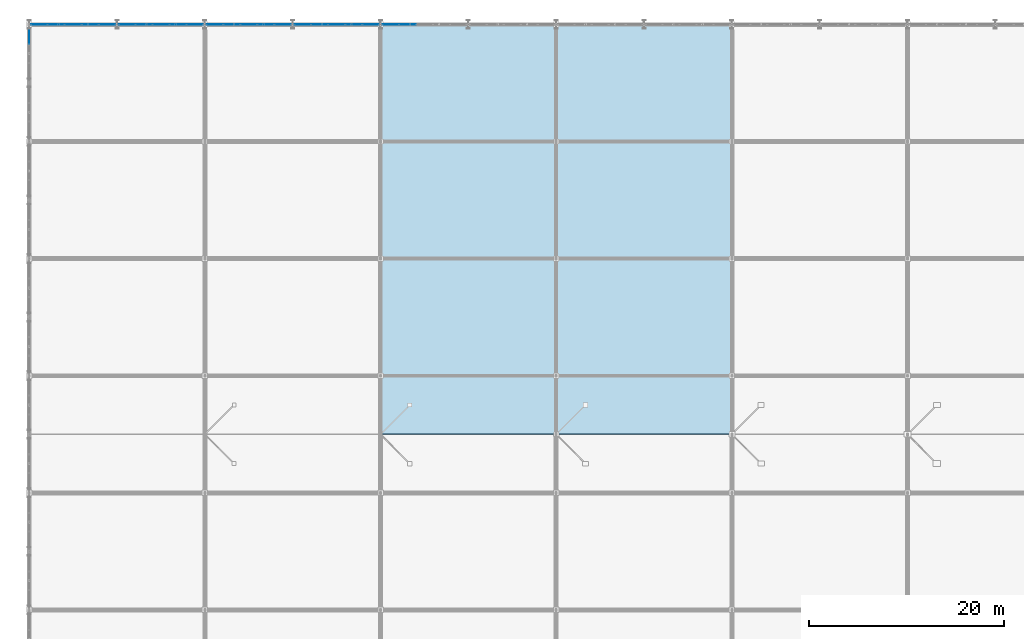
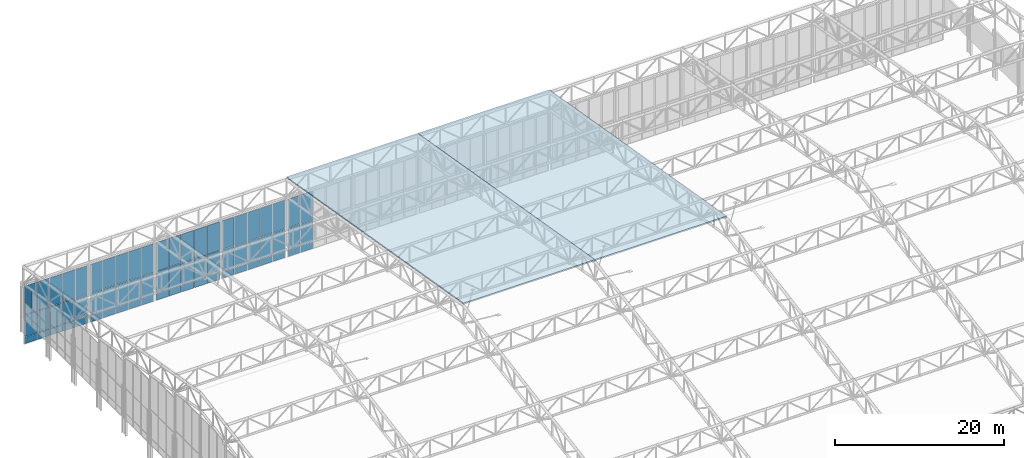
# One storey, part 187 of 239: 67 plates, 2 slabs, 7 elements without a shape of their own.
"""IFC4 building model written with IfcOpenShell, lengths in metres."""

from ifc_helpers import new_model, si_unit, direction, frame, origin, origin_2d, place, context, subcontext, project, spatial, polyline, rectangle, outline, extrude, material, layer, layer_set, type_object, element, aggregate, save


model = new_model("IFC4")

# Units and contexts
model_context = context("Model", 3, precision=1e-05, world=origin(), true_north=direction((0.0, 1.0)))
body_context = subcontext(model_context, "Body", "Model", "MODEL_VIEW")
ifc_project = project(units=[si_unit("LENGTHUNIT", "METRE"), si_unit("AREAUNIT", "SQUARE_METRE"), si_unit("VOLUMEUNIT", "CUBIC_METRE"), si_unit("PLANEANGLEUNIT", "RADIAN"), si_unit("MASSUNIT", "GRAM", prefix="KILO")], contexts=[model_context])

# Site, building, storey
site_placement = place(None, origin())
site = spatial("IfcSite", under=ifc_project, at=site_placement, CompositionType="ELEMENT")
building_placement = place(site_placement, origin())
building = spatial("IfcBuilding", under=site, at=building_placement, Name="Kaldris Quays Convention Centre", CompositionType="ELEMENT")
storey_placement = place(building_placement, frame((0.0, 0.0, 11.39990234375)))
storey = spatial("IfcBuildingStorey", under=building, at=storey_placement, Name="L02", CompositionType="ELEMENT", Elevation=11.39990234375)

# Curtain wall, plate
ifc_material_1 = material(Name="Anodized aluminium AW-6060 and triple glazing", Category="aluminium")
curtain_wall_type = type_object("IfcCurtainWallType", Name="UNITISED CURTAIN WALL CW03", PredefinedType="NOTDEFINED", material=ifc_material_1)
curtain_wall_1_placement = place(storey_placement, origin())
curtain_wall_1 = element("IfcCurtainWall", 1, at=curtain_wall_1_placement, inside=storey, type_object=curtain_wall_type, Name="L02 Unitised Curtain Wall CW03 226", PredefinedType="NOTDEFINED")
ifc_material_2 = material(Name="Triple low-E insulated glazing", Category="glass")
plate_type_1 = type_object("IfcPlateType", Name="CURTAIN GLAZING PANEL CWP2", PredefinedType="CURTAIN_PANEL", material=ifc_material_2)
plate_1_placement = place(storey_placement, frame((20.0, 138.8916015625, 4.81005859375), z_axis=(0.0, 0.0, 1.0), x_axis=(0.0, 1.0, 0.0)))
plate_1 = element("IfcPlate", 2, at=plate_1_placement, type_object=plate_type_1, Name="CW03 panel 3.3", PredefinedType="CURTAIN_PANEL", context=body_context, shape_type="SweptSolid", body=[
    extrude(rectangle(XDim=1.816650390625, YDim=0.033935546875, at=origin_2d()), origin(), (0.0, 0.0, 1.0), 2.493896484375),
])
aggregate(curtain_wall_1, [plate_1])

# Curtain wall, plates
curtain_wall_2_placement = place(storey_placement, origin())
curtain_wall_2 = element("IfcCurtainWall", 3, at=curtain_wall_2_placement, inside=storey, type_object=curtain_wall_type, Name="L02 Unitised Curtain Wall CW03 234", PredefinedType="NOTDEFINED")
plate_2_placement = place(storey_placement, frame((48.027099609375, 140.0, -1.544921875), z_axis=(0.0, 0.0, 1.0), x_axis=(1.0, 0.0, 0.0)))
plate_2 = element("IfcPlate", 4, at=plate_2_placement, type_object=plate_type_1, Name="CW03 panel 1.1", PredefinedType="CURTAIN_PANEL", context=body_context, shape_type="SweptSolid", body=[
    extrude(rectangle(XDim=1.654052734375, YDim=0.033935546875, at=origin_2d()), origin(), (0.0, 0.0, 1.0), 0.9599609375),
])
plate_3_placement = place(storey_placement, frame((48.027099609375, 140.0, -0.52490234375), z_axis=(0.0, 0.0, 1.0), x_axis=(1.0, 0.0, 0.0)))
plate_3 = element("IfcPlate", 5, at=plate_3_placement, type_object=plate_type_1, Name="CW03 panel 1.2", PredefinedType="CURTAIN_PANEL", context=body_context, shape_type="SweptSolid", body=[
    extrude(rectangle(XDim=1.654052734375, YDim=0.033935546875, at=origin_2d()), origin(), (0.0, 0.0, 1.0), 3.117919921875),
])
plate_4_placement = place(storey_placement, frame((48.027099609375, 140.0, 2.6533203125), z_axis=(0.0, 0.0, 1.0), x_axis=(1.0, 0.0, 0.0)))
plate_4 = element("IfcPlate", 6, at=plate_4_placement, type_object=plate_type_1, Name="CW03 panel 1.3", PredefinedType="CURTAIN_PANEL", context=body_context, shape_type="SweptSolid", body=[
    extrude(rectangle(XDim=1.654052734375, YDim=0.033935546875, at=origin_2d()), origin(), (0.0, 0.0, 1.0), 4.136962890625),
])
plate_5_placement = place(storey_placement, frame((49.756103515625, 140.0, -1.544921875), z_axis=(0.0, 0.0, 1.0), x_axis=(1.0, 0.0, 0.0)))
plate_5 = element("IfcPlate", 7, at=plate_5_placement, type_object=plate_type_1, Name="CW03 panel 2.1", PredefinedType="CURTAIN_PANEL", context=body_context, shape_type="SweptSolid", body=[
    extrude(rectangle(XDim=1.68408203125, YDim=0.033935546875, at=origin_2d()), origin(), (0.0, 0.0, 1.0), 0.9599609375),
])
plate_6_placement = place(storey_placement, frame((49.756103515625, 140.0, -0.52490234375), z_axis=(0.0, 0.0, 1.0), x_axis=(1.0, 0.0, 0.0)))
plate_6 = element("IfcPlate", 8, at=plate_6_placement, type_object=plate_type_1, Name="CW03 panel 2.2", PredefinedType="CURTAIN_PANEL", context=body_context, shape_type="SweptSolid", body=[
    extrude(rectangle(XDim=1.68408203125, YDim=0.033935546875, at=origin_2d()), origin(), (0.0, 0.0, 1.0), 3.117919921875),
])
plate_7_placement = place(storey_placement, frame((49.756103515625, 140.0, 2.6533203125), z_axis=(0.0, 0.0, 1.0), x_axis=(1.0, 0.0, 0.0)))
plate_7 = element("IfcPlate", 9, at=plate_7_placement, type_object=plate_type_1, Name="CW03 panel 2.3", PredefinedType="CURTAIN_PANEL", context=body_context, shape_type="SweptSolid", body=[
    extrude(rectangle(XDim=1.68408203125, YDim=0.033935546875, at=origin_2d()), origin(), (0.0, 0.0, 1.0), 4.136962890625),
])
plate_8_placement = place(storey_placement, frame((51.5, 140.0, -1.544921875), z_axis=(0.0, 0.0, 1.0), x_axis=(1.0, 0.0, 0.0)))
plate_8 = element("IfcPlate", 10, at=plate_8_placement, type_object=plate_type_1, Name="CW03 panel 3.1", PredefinedType="CURTAIN_PANEL", context=body_context, shape_type="SweptSolid", body=[
    extrude(rectangle(XDim=1.68408203125, YDim=0.033935546875, at=origin_2d()), origin(), (0.0, 0.0, 1.0), 0.9599609375),
])
plate_9_placement = place(storey_placement, frame((51.5, 140.0, -0.52490234375), z_axis=(0.0, 0.0, 1.0), x_axis=(1.0, 0.0, 0.0)))
plate_9 = element("IfcPlate", 11, at=plate_9_placement, type_object=plate_type_1, Name="CW03 panel 3.2", PredefinedType="CURTAIN_PANEL", context=body_context, shape_type="SweptSolid", body=[
    extrude(rectangle(XDim=1.68408203125, YDim=0.033935546875, at=origin_2d()), origin(), (0.0, 0.0, 1.0), 3.117919921875),
])
plate_10_placement = place(storey_placement, frame((51.5, 140.0, 2.6533203125), z_axis=(0.0, 0.0, 1.0), x_axis=(1.0, 0.0, 0.0)))
plate_10 = element("IfcPlate", 12, at=plate_10_placement, type_object=plate_type_1, Name="CW03 panel 3.3", PredefinedType="CURTAIN_PANEL", context=body_context, shape_type="SweptSolid", body=[
    extrude(rectangle(XDim=1.68408203125, YDim=0.033935546875, at=origin_2d()), origin(), (0.0, 0.0, 1.0), 4.136962890625),
])
plate_11_placement = place(storey_placement, frame((53.243896484375, 140.0, -1.544921875), z_axis=(0.0, 0.0, 1.0), x_axis=(1.0, 0.0, 0.0)))
plate_11 = element("IfcPlate", 13, at=plate_11_placement, type_object=plate_type_1, Name="CW03 panel 4.1", PredefinedType="CURTAIN_PANEL", context=body_context, shape_type="SweptSolid", body=[
    extrude(rectangle(XDim=1.68408203125, YDim=0.033935546875, at=origin_2d()), origin(), (0.0, 0.0, 1.0), 0.9599609375),
])
plate_12_placement = place(storey_placement, frame((53.243896484375, 140.0, -0.52490234375), z_axis=(0.0, 0.0, 1.0), x_axis=(1.0, 0.0, 0.0)))
plate_12 = element("IfcPlate", 14, at=plate_12_placement, type_object=plate_type_1, Name="CW03 panel 4.2", PredefinedType="CURTAIN_PANEL", context=body_context, shape_type="SweptSolid", body=[
    extrude(rectangle(XDim=1.68408203125, YDim=0.033935546875, at=origin_2d()), origin(), (0.0, 0.0, 1.0), 3.117919921875),
])
plate_13_placement = place(storey_placement, frame((53.243896484375, 140.0, 2.6533203125), z_axis=(0.0, 0.0, 1.0), x_axis=(1.0, 0.0, 0.0)))
plate_13 = element("IfcPlate", 15, at=plate_13_placement, type_object=plate_type_1, Name="CW03 panel 4.3", PredefinedType="CURTAIN_PANEL", context=body_context, shape_type="SweptSolid", body=[
    extrude(rectangle(XDim=1.68408203125, YDim=0.033935546875, at=origin_2d()), origin(), (0.0, 0.0, 1.0), 4.136962890625),
])
plate_14_placement = place(storey_placement, frame((54.972900390625, 140.0, -1.544921875), z_axis=(0.0, 0.0, 1.0), x_axis=(1.0, 0.0, 0.0)))
plate_14 = element("IfcPlate", 16, at=plate_14_placement, type_object=plate_type_1, Name="CW03 panel 5.1", PredefinedType="CURTAIN_PANEL", context=body_context, shape_type="SweptSolid", body=[
    extrude(rectangle(XDim=1.654052734375, YDim=0.033935546875, at=origin_2d()), origin(), (0.0, 0.0, 1.0), 0.9599609375),
])
plate_15_placement = place(storey_placement, frame((54.972900390625, 140.0, -0.52490234375), z_axis=(0.0, 0.0, 1.0), x_axis=(1.0, 0.0, 0.0)))
plate_15 = element("IfcPlate", 17, at=plate_15_placement, type_object=plate_type_1, Name="CW03 panel 5.2", PredefinedType="CURTAIN_PANEL", context=body_context, shape_type="SweptSolid", body=[
    extrude(rectangle(XDim=1.654052734375, YDim=0.033935546875, at=origin_2d()), origin(), (0.0, 0.0, 1.0), 3.117919921875),
])
plate_16_placement = place(storey_placement, frame((54.972900390625, 140.0, 2.6533203125), z_axis=(0.0, 0.0, 1.0), x_axis=(1.0, 0.0, 0.0)))
plate_16 = element("IfcPlate", 18, at=plate_16_placement, type_object=plate_type_1, Name="CW03 panel 5.3", PredefinedType="CURTAIN_PANEL", context=body_context, shape_type="SweptSolid", body=[
    extrude(rectangle(XDim=1.654052734375, YDim=0.033935546875, at=origin_2d()), origin(), (0.0, 0.0, 1.0), 4.136962890625),
])
aggregate(curtain_wall_2, [plate_2, plate_3, plate_4, plate_5, plate_6, plate_7, plate_8, plate_9, plate_10, plate_11, plate_12, plate_13, plate_14, plate_15, plate_16])

curtain_wall_3_placement = place(storey_placement, origin())
curtain_wall_3 = element("IfcCurtainWall", 19, at=curtain_wall_3_placement, inside=storey, type_object=curtain_wall_type, Name="L02 Unitised Curtain Wall CW03 228", PredefinedType="NOTDEFINED")
plate_type_2 = type_object("IfcPlateType", Name="CURTAIN GLAZING PANEL CWP4", PredefinedType="CURTAIN_PANEL", material=ifc_material_2)
plate_17_placement = place(storey_placement, frame((21.027099609375, 140.0, -1.544921875), z_axis=(0.0, 0.0, 1.0), x_axis=(1.0, 0.0, 0.0)))
plate_17 = element("IfcPlate", 20, at=plate_17_placement, type_object=plate_type_2, Name="CW03 panel 1.1", PredefinedType="CURTAIN_PANEL", context=body_context, shape_type="SweptSolid", body=[
    extrude(rectangle(XDim=1.654052734375, YDim=0.0439453125, at=origin_2d()), origin(), (0.0, 0.0, 1.0), 0.9599609375),
])
plate_18_placement = place(storey_placement, frame((21.027099609375, 140.0, -0.52490234375), z_axis=(0.0, 0.0, 1.0), x_axis=(1.0, 0.0, 0.0)))
plate_18 = element("IfcPlate", 21, at=plate_18_placement, type_object=plate_type_2, Name="CW03 panel 1.2", PredefinedType="CURTAIN_PANEL", context=body_context, shape_type="SweptSolid", body=[
    extrude(rectangle(XDim=1.654052734375, YDim=0.0439453125, at=origin_2d()), origin(), (0.0, 0.0, 1.0), 3.117919921875),
])
plate_19_placement = place(storey_placement, frame((21.027099609375, 140.0, 2.6533203125), z_axis=(0.0, 0.0, 1.0), x_axis=(1.0, 0.0, 0.0)))
plate_19 = element("IfcPlate", 22, at=plate_19_placement, type_object=plate_type_2, Name="CW03 panel 1.3", PredefinedType="CURTAIN_PANEL", context=body_context, shape_type="SweptSolid", body=[
    extrude(rectangle(XDim=1.654052734375, YDim=0.0439453125, at=origin_2d()), origin(), (0.0, 0.0, 1.0), 4.136962890625),
])
plate_20_placement = place(storey_placement, frame((22.756103515625, 140.0, -1.544921875), z_axis=(0.0, 0.0, 1.0), x_axis=(1.0, 0.0, 0.0)))
plate_20 = element("IfcPlate", 23, at=plate_20_placement, type_object=plate_type_2, Name="CW03 panel 2.1", PredefinedType="CURTAIN_PANEL", context=body_context, shape_type="SweptSolid", body=[
    extrude(rectangle(XDim=1.68408203125, YDim=0.0439453125, at=origin_2d()), origin(), (0.0, 0.0, 1.0), 0.9599609375),
])
plate_21_placement = place(storey_placement, frame((22.756103515625, 140.0, -0.52490234375), z_axis=(0.0, 0.0, 1.0), x_axis=(1.0, 0.0, 0.0)))
plate_21 = element("IfcPlate", 24, at=plate_21_placement, type_object=plate_type_2, Name="CW03 panel 2.2", PredefinedType="CURTAIN_PANEL", context=body_context, shape_type="SweptSolid", body=[
    extrude(rectangle(XDim=1.68408203125, YDim=0.0439453125, at=origin_2d()), origin(), (0.0, 0.0, 1.0), 3.117919921875),
])
plate_22_placement = place(storey_placement, frame((22.756103515625, 140.0, 2.6533203125), z_axis=(0.0, 0.0, 1.0), x_axis=(1.0, 0.0, 0.0)))
plate_22 = element("IfcPlate", 25, at=plate_22_placement, type_object=plate_type_2, Name="CW03 panel 2.3", PredefinedType="CURTAIN_PANEL", context=body_context, shape_type="SweptSolid", body=[
    extrude(rectangle(XDim=1.68408203125, YDim=0.0439453125, at=origin_2d()), origin(), (0.0, 0.0, 1.0), 4.136962890625),
])
plate_23_placement = place(storey_placement, frame((24.5, 140.0, -1.544921875), z_axis=(0.0, 0.0, 1.0), x_axis=(1.0, 0.0, 0.0)))
plate_23 = element("IfcPlate", 26, at=plate_23_placement, type_object=plate_type_2, Name="CW03 panel 3.1", PredefinedType="CURTAIN_PANEL", context=body_context, shape_type="SweptSolid", body=[
    extrude(rectangle(XDim=1.68408203125, YDim=0.0439453125, at=origin_2d()), origin(), (0.0, 0.0, 1.0), 0.9599609375),
])
plate_24_placement = place(storey_placement, frame((24.5, 140.0, -0.52490234375), z_axis=(0.0, 0.0, 1.0), x_axis=(1.0, 0.0, 0.0)))
plate_24 = element("IfcPlate", 27, at=plate_24_placement, type_object=plate_type_2, Name="CW03 panel 3.2", PredefinedType="CURTAIN_PANEL", context=body_context, shape_type="SweptSolid", body=[
    extrude(rectangle(XDim=1.68408203125, YDim=0.0439453125, at=origin_2d()), origin(), (0.0, 0.0, 1.0), 3.117919921875),
])
plate_25_placement = place(storey_placement, frame((24.5, 140.0, 2.6533203125), z_axis=(0.0, 0.0, 1.0), x_axis=(1.0, 0.0, 0.0)))
plate_25 = element("IfcPlate", 28, at=plate_25_placement, type_object=plate_type_2, Name="CW03 panel 3.3", PredefinedType="CURTAIN_PANEL", context=body_context, shape_type="SweptSolid", body=[
    extrude(rectangle(XDim=1.68408203125, YDim=0.0439453125, at=origin_2d()), origin(), (0.0, 0.0, 1.0), 4.136962890625),
])
plate_26_placement = place(storey_placement, frame((26.243896484375, 140.0, -1.544921875), z_axis=(0.0, 0.0, 1.0), x_axis=(1.0, 0.0, 0.0)))
plate_26 = element("IfcPlate", 29, at=plate_26_placement, type_object=plate_type_2, Name="CW03 panel 4.1", PredefinedType="CURTAIN_PANEL", context=body_context, shape_type="SweptSolid", body=[
    extrude(rectangle(XDim=1.68408203125, YDim=0.0439453125, at=origin_2d()), origin(), (0.0, 0.0, 1.0), 0.9599609375),
])
plate_27_placement = place(storey_placement, frame((26.243896484375, 140.0, -0.52490234375), z_axis=(0.0, 0.0, 1.0), x_axis=(1.0, 0.0, 0.0)))
plate_27 = element("IfcPlate", 30, at=plate_27_placement, type_object=plate_type_2, Name="CW03 panel 4.2", PredefinedType="CURTAIN_PANEL", context=body_context, shape_type="SweptSolid", body=[
    extrude(rectangle(XDim=1.68408203125, YDim=0.0439453125, at=origin_2d()), origin(), (0.0, 0.0, 1.0), 3.117919921875),
])
plate_28_placement = place(storey_placement, frame((26.243896484375, 140.0, 2.6533203125), z_axis=(0.0, 0.0, 1.0), x_axis=(1.0, 0.0, 0.0)))
plate_28 = element("IfcPlate", 31, at=plate_28_placement, type_object=plate_type_2, Name="CW03 panel 4.3", PredefinedType="CURTAIN_PANEL", context=body_context, shape_type="SweptSolid", body=[
    extrude(rectangle(XDim=1.68408203125, YDim=0.0439453125, at=origin_2d()), origin(), (0.0, 0.0, 1.0), 4.136962890625),
])
plate_29_placement = place(storey_placement, frame((27.972900390625, 140.0, -1.544921875), z_axis=(0.0, 0.0, 1.0), x_axis=(1.0, 0.0, 0.0)))
plate_29 = element("IfcPlate", 32, at=plate_29_placement, type_object=plate_type_2, Name="CW03 panel 5.1", PredefinedType="CURTAIN_PANEL", context=body_context, shape_type="SweptSolid", body=[
    extrude(rectangle(XDim=1.654052734375, YDim=0.0439453125, at=origin_2d()), origin(), (0.0, 0.0, 1.0), 0.9599609375),
])
plate_30_placement = place(storey_placement, frame((27.972900390625, 140.0, -0.52490234375), z_axis=(0.0, 0.0, 1.0), x_axis=(1.0, 0.0, 0.0)))
plate_30 = element("IfcPlate", 33, at=plate_30_placement, type_object=plate_type_2, Name="CW03 panel 5.2", PredefinedType="CURTAIN_PANEL", context=body_context, shape_type="SweptSolid", body=[
    extrude(rectangle(XDim=1.654052734375, YDim=0.0439453125, at=origin_2d()), origin(), (0.0, 0.0, 1.0), 3.117919921875),
])
plate_31_placement = place(storey_placement, frame((27.972900390625, 140.0, 2.6533203125), z_axis=(0.0, 0.0, 1.0), x_axis=(1.0, 0.0, 0.0)))
plate_31 = element("IfcPlate", 34, at=plate_31_placement, type_object=plate_type_2, Name="CW03 panel 5.3", PredefinedType="CURTAIN_PANEL", context=body_context, shape_type="SweptSolid", body=[
    extrude(rectangle(XDim=1.654052734375, YDim=0.0439453125, at=origin_2d()), origin(), (0.0, 0.0, 1.0), 4.136962890625),
])
aggregate(curtain_wall_3, [plate_17, plate_18, plate_19, plate_20, plate_21, plate_22, plate_23, plate_24, plate_25, plate_26, plate_27, plate_28, plate_29, plate_30, plate_31])

curtain_wall_4_placement = place(storey_placement, origin())
curtain_wall_4 = element("IfcCurtainWall", 35, at=curtain_wall_4_placement, inside=storey, type_object=curtain_wall_type, Name="L02 Unitised Curtain Wall CW03 236", PredefinedType="NOTDEFINED")
plate_32_placement = place(storey_placement, frame((57.027099609375, 140.0, -1.544921875), z_axis=(0.0, 0.0, 1.0), x_axis=(1.0, 0.0, 0.0)))
plate_32 = element("IfcPlate", 36, at=plate_32_placement, type_object=plate_type_2, Name="CW03 panel 1.1", PredefinedType="CURTAIN_PANEL", context=body_context, shape_type="SweptSolid", body=[
    extrude(rectangle(XDim=1.654052734375, YDim=0.0439453125, at=origin_2d()), origin(), (0.0, 0.0, 1.0), 0.9599609375),
])
plate_33_placement = place(storey_placement, frame((57.027099609375, 140.0, -0.52490234375), z_axis=(0.0, 0.0, 1.0), x_axis=(1.0, 0.0, 0.0)))
plate_33 = element("IfcPlate", 37, at=plate_33_placement, type_object=plate_type_2, Name="CW03 panel 1.2", PredefinedType="CURTAIN_PANEL", context=body_context, shape_type="SweptSolid", body=[
    extrude(rectangle(XDim=1.654052734375, YDim=0.0439453125, at=origin_2d()), origin(), (0.0, 0.0, 1.0), 3.117919921875),
])
plate_34_placement = place(storey_placement, frame((57.027099609375, 140.0, 2.6533203125), z_axis=(0.0, 0.0, 1.0), x_axis=(1.0, 0.0, 0.0)))
plate_34 = element("IfcPlate", 38, at=plate_34_placement, type_object=plate_type_2, Name="CW03 panel 1.3", PredefinedType="CURTAIN_PANEL", context=body_context, shape_type="SweptSolid", body=[
    extrude(rectangle(XDim=1.654052734375, YDim=0.0439453125, at=origin_2d()), origin(), (0.0, 0.0, 1.0), 4.136962890625),
])
plate_35_placement = place(storey_placement, frame((58.756103515625, 140.0, -1.544921875), z_axis=(0.0, 0.0, 1.0), x_axis=(1.0, 0.0, 0.0)))
plate_35 = element("IfcPlate", 39, at=plate_35_placement, type_object=plate_type_2, Name="CW03 panel 2.1", PredefinedType="CURTAIN_PANEL", context=body_context, shape_type="SweptSolid", body=[
    extrude(rectangle(XDim=1.68408203125, YDim=0.0439453125, at=origin_2d()), origin(), (0.0, 0.0, 1.0), 0.9599609375),
])
plate_36_placement = place(storey_placement, frame((58.756103515625, 140.0, -0.52490234375), z_axis=(0.0, 0.0, 1.0), x_axis=(1.0, 0.0, 0.0)))
plate_36 = element("IfcPlate", 40, at=plate_36_placement, type_object=plate_type_2, Name="CW03 panel 2.2", PredefinedType="CURTAIN_PANEL", context=body_context, shape_type="SweptSolid", body=[
    extrude(rectangle(XDim=1.68408203125, YDim=0.0439453125, at=origin_2d()), origin(), (0.0, 0.0, 1.0), 3.117919921875),
])
plate_37_placement = place(storey_placement, frame((58.756103515625, 140.0, 2.6533203125), z_axis=(0.0, 0.0, 1.0), x_axis=(1.0, 0.0, 0.0)))
plate_37 = element("IfcPlate", 41, at=plate_37_placement, type_object=plate_type_2, Name="CW03 panel 2.3", PredefinedType="CURTAIN_PANEL", context=body_context, shape_type="SweptSolid", body=[
    extrude(rectangle(XDim=1.68408203125, YDim=0.0439453125, at=origin_2d()), origin(), (0.0, 0.0, 1.0), 4.136962890625),
])
aggregate(curtain_wall_4, [plate_32, plate_33, plate_34, plate_35, plate_36, plate_37])

curtain_wall_5_placement = place(storey_placement, origin())
curtain_wall_5 = element("IfcCurtainWall", 42, at=curtain_wall_5_placement, inside=storey, type_object=curtain_wall_type, Name="L02 Unitised Curtain Wall CW03 230", PredefinedType="NOTDEFINED")
plate_type_3 = type_object("IfcPlateType", Name="CURTAIN GLAZING PANEL CWP6", PredefinedType="CURTAIN_PANEL", material=ifc_material_2)
plate_38_placement = place(storey_placement, frame((30.027099609375, 140.0, -1.544921875), z_axis=(0.0, 0.0, 1.0), x_axis=(1.0, 0.0, 0.0)))
plate_38 = element("IfcPlate", 43, at=plate_38_placement, type_object=plate_type_3, Name="CW03 panel 1.1", PredefinedType="CURTAIN_PANEL", context=body_context, shape_type="SweptSolid", body=[
    extrude(rectangle(XDim=1.654052734375, YDim=0.053955078125, at=origin_2d()), origin(), (0.0, 0.0, 1.0), 0.9599609375),
])
plate_39_placement = place(storey_placement, frame((30.027099609375, 140.0, -0.52490234375), z_axis=(0.0, 0.0, 1.0), x_axis=(1.0, 0.0, 0.0)))
plate_39 = element("IfcPlate", 44, at=plate_39_placement, type_object=plate_type_3, Name="CW03 panel 1.2", PredefinedType="CURTAIN_PANEL", context=body_context, shape_type="SweptSolid", body=[
    extrude(rectangle(XDim=1.654052734375, YDim=0.053955078125, at=origin_2d()), origin(), (0.0, 0.0, 1.0), 3.117919921875),
])
plate_40_placement = place(storey_placement, frame((30.027099609375, 140.0, 2.6533203125), z_axis=(0.0, 0.0, 1.0), x_axis=(1.0, 0.0, 0.0)))
plate_40 = element("IfcPlate", 45, at=plate_40_placement, type_object=plate_type_3, Name="CW03 panel 1.3", PredefinedType="CURTAIN_PANEL", context=body_context, shape_type="SweptSolid", body=[
    extrude(rectangle(XDim=1.654052734375, YDim=0.053955078125, at=origin_2d()), origin(), (0.0, 0.0, 1.0), 4.136962890625),
])
plate_41_placement = place(storey_placement, frame((31.756103515625, 140.0, -1.544921875), z_axis=(0.0, 0.0, 1.0), x_axis=(1.0, 0.0, 0.0)))
plate_41 = element("IfcPlate", 46, at=plate_41_placement, type_object=plate_type_3, Name="CW03 panel 2.1", PredefinedType="CURTAIN_PANEL", context=body_context, shape_type="SweptSolid", body=[
    extrude(rectangle(XDim=1.68408203125, YDim=0.053955078125, at=origin_2d()), origin(), (0.0, 0.0, 1.0), 0.9599609375),
])
plate_42_placement = place(storey_placement, frame((31.756103515625, 140.0, -0.52490234375), z_axis=(0.0, 0.0, 1.0), x_axis=(1.0, 0.0, 0.0)))
plate_42 = element("IfcPlate", 47, at=plate_42_placement, type_object=plate_type_3, Name="CW03 panel 2.2", PredefinedType="CURTAIN_PANEL", context=body_context, shape_type="SweptSolid", body=[
    extrude(rectangle(XDim=1.68408203125, YDim=0.053955078125, at=origin_2d()), origin(), (0.0, 0.0, 1.0), 3.117919921875),
])
plate_43_placement = place(storey_placement, frame((31.756103515625, 140.0, 2.6533203125), z_axis=(0.0, 0.0, 1.0), x_axis=(1.0, 0.0, 0.0)))
plate_43 = element("IfcPlate", 48, at=plate_43_placement, type_object=plate_type_3, Name="CW03 panel 2.3", PredefinedType="CURTAIN_PANEL", context=body_context, shape_type="SweptSolid", body=[
    extrude(rectangle(XDim=1.68408203125, YDim=0.053955078125, at=origin_2d()), origin(), (0.0, 0.0, 1.0), 4.136962890625),
])
plate_44_placement = place(storey_placement, frame((33.5, 140.0, -1.544921875), z_axis=(0.0, 0.0, 1.0), x_axis=(1.0, 0.0, 0.0)))
plate_44 = element("IfcPlate", 49, at=plate_44_placement, type_object=plate_type_3, Name="CW03 panel 3.1", PredefinedType="CURTAIN_PANEL", context=body_context, shape_type="SweptSolid", body=[
    extrude(rectangle(XDim=1.68408203125, YDim=0.053955078125, at=origin_2d()), origin(), (0.0, 0.0, 1.0), 0.9599609375),
])
plate_45_placement = place(storey_placement, frame((33.5, 140.0, -0.52490234375), z_axis=(0.0, 0.0, 1.0), x_axis=(1.0, 0.0, 0.0)))
plate_45 = element("IfcPlate", 50, at=plate_45_placement, type_object=plate_type_3, Name="CW03 panel 3.2", PredefinedType="CURTAIN_PANEL", context=body_context, shape_type="SweptSolid", body=[
    extrude(rectangle(XDim=1.68408203125, YDim=0.053955078125, at=origin_2d()), origin(), (0.0, 0.0, 1.0), 3.117919921875),
])
plate_46_placement = place(storey_placement, frame((33.5, 140.0, 2.6533203125), z_axis=(0.0, 0.0, 1.0), x_axis=(1.0, 0.0, 0.0)))
plate_46 = element("IfcPlate", 51, at=plate_46_placement, type_object=plate_type_3, Name="CW03 panel 3.3", PredefinedType="CURTAIN_PANEL", context=body_context, shape_type="SweptSolid", body=[
    extrude(rectangle(XDim=1.68408203125, YDim=0.053955078125, at=origin_2d()), origin(), (0.0, 0.0, 1.0), 4.136962890625),
])
plate_47_placement = place(storey_placement, frame((35.243896484375, 140.0, -1.544921875), z_axis=(0.0, 0.0, 1.0), x_axis=(1.0, 0.0, 0.0)))
plate_47 = element("IfcPlate", 52, at=plate_47_placement, type_object=plate_type_3, Name="CW03 panel 4.1", PredefinedType="CURTAIN_PANEL", context=body_context, shape_type="SweptSolid", body=[
    extrude(rectangle(XDim=1.68408203125, YDim=0.053955078125, at=origin_2d()), origin(), (0.0, 0.0, 1.0), 0.9599609375),
])
plate_48_placement = place(storey_placement, frame((35.243896484375, 140.0, -0.52490234375), z_axis=(0.0, 0.0, 1.0), x_axis=(1.0, 0.0, 0.0)))
plate_48 = element("IfcPlate", 53, at=plate_48_placement, type_object=plate_type_3, Name="CW03 panel 4.2", PredefinedType="CURTAIN_PANEL", context=body_context, shape_type="SweptSolid", body=[
    extrude(rectangle(XDim=1.68408203125, YDim=0.053955078125, at=origin_2d()), origin(), (0.0, 0.0, 1.0), 3.117919921875),
])
plate_49_placement = place(storey_placement, frame((35.243896484375, 140.0, 2.6533203125), z_axis=(0.0, 0.0, 1.0), x_axis=(1.0, 0.0, 0.0)))
plate_49 = element("IfcPlate", 54, at=plate_49_placement, type_object=plate_type_3, Name="CW03 panel 4.3", PredefinedType="CURTAIN_PANEL", context=body_context, shape_type="SweptSolid", body=[
    extrude(rectangle(XDim=1.68408203125, YDim=0.053955078125, at=origin_2d()), origin(), (0.0, 0.0, 1.0), 4.136962890625),
])
plate_50_placement = place(storey_placement, frame((36.972900390625, 140.0, -1.544921875), z_axis=(0.0, 0.0, 1.0), x_axis=(1.0, 0.0, 0.0)))
plate_50 = element("IfcPlate", 55, at=plate_50_placement, type_object=plate_type_3, Name="CW03 panel 5.1", PredefinedType="CURTAIN_PANEL", context=body_context, shape_type="SweptSolid", body=[
    extrude(rectangle(XDim=1.654052734375, YDim=0.053955078125, at=origin_2d()), origin(), (0.0, 0.0, 1.0), 0.9599609375),
])
plate_51_placement = place(storey_placement, frame((36.972900390625, 140.0, -0.52490234375), z_axis=(0.0, 0.0, 1.0), x_axis=(1.0, 0.0, 0.0)))
plate_51 = element("IfcPlate", 56, at=plate_51_placement, type_object=plate_type_3, Name="CW03 panel 5.2", PredefinedType="CURTAIN_PANEL", context=body_context, shape_type="SweptSolid", body=[
    extrude(rectangle(XDim=1.654052734375, YDim=0.053955078125, at=origin_2d()), origin(), (0.0, 0.0, 1.0), 3.117919921875),
])
plate_52_placement = place(storey_placement, frame((36.972900390625, 140.0, 2.6533203125), z_axis=(0.0, 0.0, 1.0), x_axis=(1.0, 0.0, 0.0)))
plate_52 = element("IfcPlate", 57, at=plate_52_placement, type_object=plate_type_3, Name="CW03 panel 5.3", PredefinedType="CURTAIN_PANEL", context=body_context, shape_type="SweptSolid", body=[
    extrude(rectangle(XDim=1.654052734375, YDim=0.053955078125, at=origin_2d()), origin(), (0.0, 0.0, 1.0), 4.136962890625),
])
aggregate(curtain_wall_5, [plate_38, plate_39, plate_40, plate_41, plate_42, plate_43, plate_44, plate_45, plate_46, plate_47, plate_48, plate_49, plate_50, plate_51, plate_52])

curtain_wall_6_placement = place(storey_placement, origin())
curtain_wall_6 = element("IfcCurtainWall", 58, at=curtain_wall_6_placement, inside=storey, type_object=curtain_wall_type, Name="L02 Unitised Curtain Wall CW03 232", PredefinedType="NOTDEFINED")
plate_type_4 = type_object("IfcPlateType", Name="CURTAIN GLAZING PANEL CWP8", PredefinedType="CURTAIN_PANEL", material=ifc_material_2)
plate_53_placement = place(storey_placement, frame((39.027099609375, 140.0, -1.544921875), z_axis=(0.0, 0.0, 1.0), x_axis=(1.0, 0.0, 0.0)))
plate_53 = element("IfcPlate", 59, at=plate_53_placement, type_object=plate_type_4, Name="CW03 panel 1.1", PredefinedType="CURTAIN_PANEL", context=body_context, shape_type="SweptSolid", body=[
    extrude(rectangle(XDim=1.654052734375, YDim=0.06396484375, at=origin_2d()), origin(), (0.0, 0.0, 1.0), 0.9599609375),
])
plate_54_placement = place(storey_placement, frame((39.027099609375, 140.0, -0.52490234375), z_axis=(0.0, 0.0, 1.0), x_axis=(1.0, 0.0, 0.0)))
plate_54 = element("IfcPlate", 60, at=plate_54_placement, type_object=plate_type_4, Name="CW03 panel 1.2", PredefinedType="CURTAIN_PANEL", context=body_context, shape_type="SweptSolid", body=[
    extrude(rectangle(XDim=1.654052734375, YDim=0.06396484375, at=origin_2d()), origin(), (0.0, 0.0, 1.0), 3.117919921875),
])
plate_55_placement = place(storey_placement, frame((39.027099609375, 140.0, 2.6533203125), z_axis=(0.0, 0.0, 1.0), x_axis=(1.0, 0.0, 0.0)))
plate_55 = element("IfcPlate", 61, at=plate_55_placement, type_object=plate_type_4, Name="CW03 panel 1.3", PredefinedType="CURTAIN_PANEL", context=body_context, shape_type="SweptSolid", body=[
    extrude(rectangle(XDim=1.654052734375, YDim=0.06396484375, at=origin_2d()), origin(), (0.0, 0.0, 1.0), 4.136962890625),
])
plate_56_placement = place(storey_placement, frame((40.756103515625, 140.0, -1.544921875), z_axis=(0.0, 0.0, 1.0), x_axis=(1.0, 0.0, 0.0)))
plate_56 = element("IfcPlate", 62, at=plate_56_placement, type_object=plate_type_4, Name="CW03 panel 2.1", PredefinedType="CURTAIN_PANEL", context=body_context, shape_type="SweptSolid", body=[
    extrude(rectangle(XDim=1.68408203125, YDim=0.06396484375, at=origin_2d()), origin(), (0.0, 0.0, 1.0), 0.9599609375),
])
plate_57_placement = place(storey_placement, frame((40.756103515625, 140.0, -0.52490234375), z_axis=(0.0, 0.0, 1.0), x_axis=(1.0, 0.0, 0.0)))
plate_57 = element("IfcPlate", 63, at=plate_57_placement, type_object=plate_type_4, Name="CW03 panel 2.2", PredefinedType="CURTAIN_PANEL", context=body_context, shape_type="SweptSolid", body=[
    extrude(rectangle(XDim=1.68408203125, YDim=0.06396484375, at=origin_2d()), origin(), (0.0, 0.0, 1.0), 3.117919921875),
])
plate_58_placement = place(storey_placement, frame((40.756103515625, 140.0, 2.6533203125), z_axis=(0.0, 0.0, 1.0), x_axis=(1.0, 0.0, 0.0)))
plate_58 = element("IfcPlate", 64, at=plate_58_placement, type_object=plate_type_4, Name="CW03 panel 2.3", PredefinedType="CURTAIN_PANEL", context=body_context, shape_type="SweptSolid", body=[
    extrude(rectangle(XDim=1.68408203125, YDim=0.06396484375, at=origin_2d()), origin(), (0.0, 0.0, 1.0), 4.136962890625),
])
plate_59_placement = place(storey_placement, frame((42.5, 140.0, -1.544921875), z_axis=(0.0, 0.0, 1.0), x_axis=(1.0, 0.0, 0.0)))
plate_59 = element("IfcPlate", 65, at=plate_59_placement, type_object=plate_type_4, Name="CW03 panel 3.1", PredefinedType="CURTAIN_PANEL", context=body_context, shape_type="SweptSolid", body=[
    extrude(rectangle(XDim=1.68408203125, YDim=0.06396484375, at=origin_2d()), origin(), (0.0, 0.0, 1.0), 0.9599609375),
])
plate_60_placement = place(storey_placement, frame((42.5, 140.0, -0.52490234375), z_axis=(0.0, 0.0, 1.0), x_axis=(1.0, 0.0, 0.0)))
plate_60 = element("IfcPlate", 66, at=plate_60_placement, type_object=plate_type_4, Name="CW03 panel 3.2", PredefinedType="CURTAIN_PANEL", context=body_context, shape_type="SweptSolid", body=[
    extrude(rectangle(XDim=1.68408203125, YDim=0.06396484375, at=origin_2d()), origin(), (0.0, 0.0, 1.0), 3.117919921875),
])
plate_61_placement = place(storey_placement, frame((42.5, 140.0, 2.6533203125), z_axis=(0.0, 0.0, 1.0), x_axis=(1.0, 0.0, 0.0)))
plate_61 = element("IfcPlate", 67, at=plate_61_placement, type_object=plate_type_4, Name="CW03 panel 3.3", PredefinedType="CURTAIN_PANEL", context=body_context, shape_type="SweptSolid", body=[
    extrude(rectangle(XDim=1.68408203125, YDim=0.06396484375, at=origin_2d()), origin(), (0.0, 0.0, 1.0), 4.136962890625),
])
plate_62_placement = place(storey_placement, frame((44.243896484375, 140.0, -1.544921875), z_axis=(0.0, 0.0, 1.0), x_axis=(1.0, 0.0, 0.0)))
plate_62 = element("IfcPlate", 68, at=plate_62_placement, type_object=plate_type_4, Name="CW03 panel 4.1", PredefinedType="CURTAIN_PANEL", context=body_context, shape_type="SweptSolid", body=[
    extrude(rectangle(XDim=1.68408203125, YDim=0.06396484375, at=origin_2d()), origin(), (0.0, 0.0, 1.0), 0.9599609375),
])
plate_63_placement = place(storey_placement, frame((44.243896484375, 140.0, -0.52490234375), z_axis=(0.0, 0.0, 1.0), x_axis=(1.0, 0.0, 0.0)))
plate_63 = element("IfcPlate", 69, at=plate_63_placement, type_object=plate_type_4, Name="CW03 panel 4.2", PredefinedType="CURTAIN_PANEL", context=body_context, shape_type="SweptSolid", body=[
    extrude(rectangle(XDim=1.68408203125, YDim=0.06396484375, at=origin_2d()), origin(), (0.0, 0.0, 1.0), 3.117919921875),
])
plate_64_placement = place(storey_placement, frame((44.243896484375, 140.0, 2.6533203125), z_axis=(0.0, 0.0, 1.0), x_axis=(1.0, 0.0, 0.0)))
plate_64 = element("IfcPlate", 70, at=plate_64_placement, type_object=plate_type_4, Name="CW03 panel 4.3", PredefinedType="CURTAIN_PANEL", context=body_context, shape_type="SweptSolid", body=[
    extrude(rectangle(XDim=1.68408203125, YDim=0.06396484375, at=origin_2d()), origin(), (0.0, 0.0, 1.0), 4.136962890625),
])
plate_65_placement = place(storey_placement, frame((45.972900390625, 140.0, -1.544921875), z_axis=(0.0, 0.0, 1.0), x_axis=(1.0, 0.0, 0.0)))
plate_65 = element("IfcPlate", 71, at=plate_65_placement, type_object=plate_type_4, Name="CW03 panel 5.1", PredefinedType="CURTAIN_PANEL", context=body_context, shape_type="SweptSolid", body=[
    extrude(rectangle(XDim=1.654052734375, YDim=0.06396484375, at=origin_2d()), origin(), (0.0, 0.0, 1.0), 0.9599609375),
])
plate_66_placement = place(storey_placement, frame((45.972900390625, 140.0, -0.52490234375), z_axis=(0.0, 0.0, 1.0), x_axis=(1.0, 0.0, 0.0)))
plate_66 = element("IfcPlate", 72, at=plate_66_placement, type_object=plate_type_4, Name="CW03 panel 5.2", PredefinedType="CURTAIN_PANEL", context=body_context, shape_type="SweptSolid", body=[
    extrude(rectangle(XDim=1.654052734375, YDim=0.06396484375, at=origin_2d()), origin(), (0.0, 0.0, 1.0), 3.117919921875),
])
plate_67_placement = place(storey_placement, frame((45.972900390625, 140.0, 2.6533203125), z_axis=(0.0, 0.0, 1.0), x_axis=(1.0, 0.0, 0.0)))
plate_67 = element("IfcPlate", 73, at=plate_67_placement, type_object=plate_type_4, Name="CW03 panel 5.3", PredefinedType="CURTAIN_PANEL", context=body_context, shape_type="SweptSolid", body=[
    extrude(rectangle(XDim=1.654052734375, YDim=0.06396484375, at=origin_2d()), origin(), (0.0, 0.0, 1.0), 4.136962890625),
])
aggregate(curtain_wall_6, [plate_53, plate_54, plate_55, plate_56, plate_57, plate_58, plate_59, plate_60, plate_61, plate_62, plate_63, plate_64, plate_65, plate_66, plate_67])

# Roof, slabs
ifc_material_3 = material(Name="Steel S355J2", Category="steel")
ifc_layer_1 = layer(ifc_material_3, 0.175048828125)
ifc_layer_set_1 = layer_set([ifc_layer_1], Name="Steel S355J2")
roof_type = type_object("IfcRoofType", Name="SPACE FRAME GABLE ROOF RF01", PredefinedType="GABLE_ROOF", material=ifc_layer_set_1)
roof_placement = place(storey_placement, origin())
roof = element("IfcRoof", 74, at=roof_placement, inside=storey, type_object=roof_type, Name="Space-Frame Roof ROOF-V1-SF", PredefinedType="GABLE_ROOF")
ifc_layer_2 = layer(ifc_material_3, 0.175048828125)
ifc_layer_set_2 = layer_set([ifc_layer_2], Name="Steel S355J2")
slab_type = type_object("IfcSlabType", Name="STRUCTURAL SLAB RS02", PredefinedType="ROOF", material=ifc_layer_set_2)
slab_1_placement = place(storey_placement, frame((56.0, 98.02490234375, 17.245361328125), z_axis=(0.0, 0.168959837226, 0.985622936728), x_axis=(1.0, 0.0, 0.0)))
slab_1 = element("IfcSlab", 75, at=slab_1_placement, type_object=slab_type, Name="SF-V1 Pitched Roof Deck 2.3", PredefinedType="ROOF", context=body_context, shape_type="SweptSolid", body=[
    extrude(outline(polyline([(0.0, 0.0), (18.0, 0.0), (18.0, 42.587379100153214), (0.0, 42.587379100153214), (0.0, 0.0)])), origin(), (0.0, 0.0, -1.0), 0.175048828125),
])
slab_2_placement = place(storey_placement, frame((74.0, 98.02490234375, 17.245361328125), z_axis=(0.0, 0.168959837226, 0.985622936728), x_axis=(1.0, 0.0, 0.0)))
slab_2 = element("IfcSlab", 76, at=slab_2_placement, type_object=slab_type, Name="SF-V1 Pitched Roof Deck 2.4", PredefinedType="ROOF", context=body_context, shape_type="SweptSolid", body=[
    extrude(outline(polyline([(0.0, 0.0), (18.0, 0.0), (18.0, 42.587379100153214), (0.0, 42.587379100153214), (0.0, 0.0)])), origin(), (0.0, 0.0, -1.0), 0.175048828125),
])
aggregate(roof, [slab_1, slab_2])

save(model, "model.ifc")
